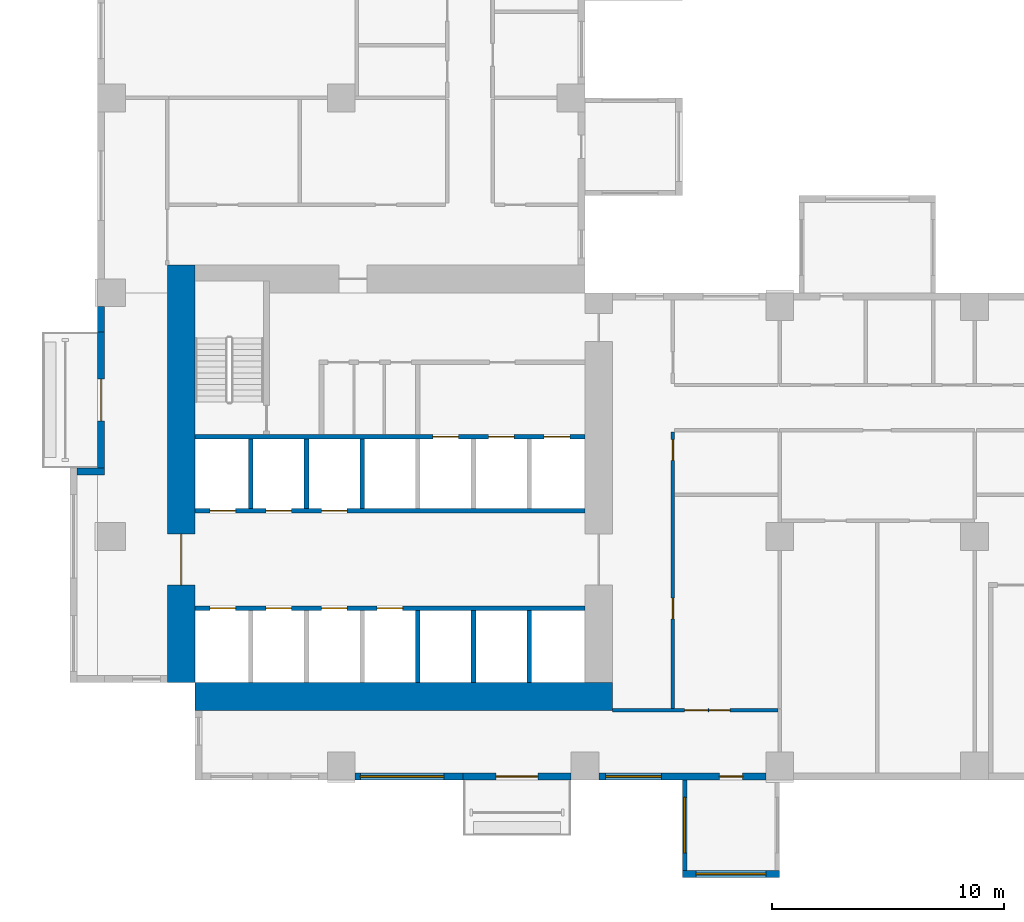
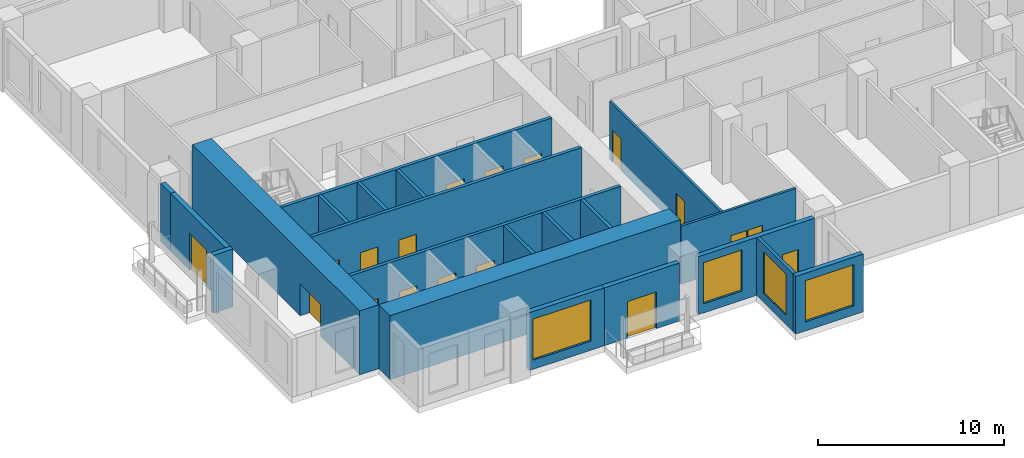
# One storey, part 2 of 15: 21 walls, 18 doors, 4 windows, 22 openings.
"""IFC4 building model written with IfcOpenShell, lengths in metres."""

from ifc_helpers import new_model, si_unit, direction, frame, frame_2d, origin, place, context, subcontext, project, spatial, rectangle, extrude, source, transform, mapped, material, layer, layer_set, type_object, element, fill, save


model = new_model("IFC4")

# Units and contexts
model_context = context("Model", 3, precision=1e-05, world=origin(), true_north=direction((0.0, 1.0)))
body_context = subcontext(model_context, "Body", "Model", "MODEL_VIEW")
ifc_project = project(units=[si_unit("LENGTHUNIT", "METRE"), si_unit("AREAUNIT", "SQUARE_METRE"), si_unit("VOLUMEUNIT", "CUBIC_METRE"), si_unit("PLANEANGLEUNIT", "RADIAN"), si_unit("MASSUNIT", "GRAM", prefix="KILO")], contexts=[model_context])

# Site, building, storey
site_placement = place(None, origin())
site = spatial("IfcSite", under=ifc_project, at=site_placement, CompositionType="ELEMENT")
building_placement = place(site_placement, origin())
building = spatial("IfcBuilding", under=site, at=building_placement, Name="Aurelian Terraces", CompositionType="ELEMENT")
storey_placement = place(building_placement, frame((0.0, 0.0, 65.7)))
storey = spatial("IfcBuildingStorey", under=building, at=storey_placement, Name="L13", CompositionType="ELEMENT", Elevation=65.7)

# Wall, opening, door
ifc_material_1 = material(Name="Concrete fc' 83 MPa", Category="concrete")
ifc_layer_1 = layer(ifc_material_1, 1.2)
ifc_layer_set_1 = layer_set([ifc_layer_1], Name="CORE WALL 1200 FC83")
wall_type_1 = type_object("IfcWallType", Name="CORE WALL 1200 FC83", PredefinedType="SHEAR", material=ifc_layer_set_1)
shared_shape_1 = source(origin(), body_context, "Body", "SweptSolid", [
    extrude(rectangle(XDim=18.0, YDim=1.2, at=frame_2d((9.0, 0.0))), origin(), (0.0, 0.0, 1.0), 4.2),
])
wall_1_placement = place(storey_placement, frame((3.6, 4.2, 0.0), z_axis=(0.0, 0.0, 1.0), x_axis=(0.0, 1.0, 0.0)))
wall_1 = element("IfcWall", 1, at=wall_1_placement, inside=storey, type_object=wall_type_1, Name="Core wall W L13", PredefinedType="SHEAR", context=body_context, shape_type="MappedRepresentation", body=[
    mapped(shared_shape_1, transform((0.0, 0.0, 0.0), scale=1.0)),
])
shared_shape_2 = source(origin(), body_context, "Body", "SweptSolid", [
    extrude(rectangle(XDim=2.2, YDim=2.1, at=frame_2d((1.1, 1.05))), frame((0.0, 0.61, 0.0), z_axis=(0.0, -1.0, 0.0), x_axis=(1.0, 0.0, 0.0)), (0.0, 0.0, 1.0), 1.22),
])
opening_1_placement = place(wall_1_placement, frame((4.2, 0.0, 0.0)))
opening_1 = element("IfcOpeningElement", 2, at=opening_1_placement, cuts=wall_1, Name="Opening 61622", PredefinedType="OPENING", context=body_context, shape_type="MappedRepresentation", body=[
    mapped(shared_shape_2, transform((0.0, 0.0, 0.0), scale=1.0)),
])
ifc_material_2 = material(Name="Steel door leaf", Category="steel")
door_type_1 = type_object("IfcDoorType", Name="Core double door 2200x2100", OperationType="DOUBLE_DOOR_SINGLE_SWING", PredefinedType="DOOR", material=ifc_material_2)
shared_shape_3 = source(origin(), body_context, "Body", "SweptSolid", [
    extrude(rectangle(XDim=2.2, YDim=2.1, at=frame_2d((1.1, 1.05))), frame((0.0, 0.025, 0.0), z_axis=(0.0, -1.0, 0.0), x_axis=(1.0, 0.0, 0.0)), (0.0, 0.0, 1.0), 0.05),
])
door_1_placement = place(opening_1_placement, origin())
door_1 = element("IfcDoor", 3, at=door_1_placement, inside=storey, type_object=door_type_1, Name="Core door 61622", OperationType="DOUBLE_DOOR_SINGLE_SWING", OverallHeight=2.1, OverallWidth=2.2, PredefinedType="DOOR", context=body_context, shape_type="MappedRepresentation", body=[
    mapped(shared_shape_3, transform((0.0, 0.0, 0.0), scale=1.0)),
])
fill(opening_1, door_1)

# Wall
wall_2_placement = place(storey_placement, frame((4.2, 3.6, 0.0), z_axis=(0.0, 0.0, 1.0), x_axis=(1.0, 0.0, 0.0)))
element("IfcWall", 4, at=wall_2_placement, inside=storey, type_object=wall_type_1, Name="Core wall S L13", PredefinedType="SHEAR", context=body_context, shape_type="MappedRepresentation", body=[
    mapped(shared_shape_1, transform((0.0, 0.0, 0.0), scale=1.0)),
])

# Wall, opening, window
ifc_material_3 = material(Name="Terracotta rainscreen cladding", Category="masonry")
ifc_layer_2 = layer(ifc_material_3, 0.3)
ifc_layer_set_2 = layer_set([ifc_layer_2], Name="EW-300")
wall_type_2 = type_object("IfcWallType", Name="EW-300", PredefinedType="STANDARD", material=ifc_layer_set_2)
shared_shape_4 = source(origin(), body_context, "Body", "SweptSolid", [
    extrude(rectangle(XDim=4.65, YDim=0.3, at=frame_2d((2.325, 0.0))), origin(), (0.0, 0.0, 1.0), 3.8),
])
wall_3_placement = place(storey_placement, frame((11.1, 0.15, 0.0), z_axis=(0.0, 0.0, 1.0), x_axis=(1.0, 0.0, 0.0)))
wall_3 = element("IfcWall", 5, at=wall_3_placement, inside=storey, type_object=wall_type_2, Name="External wall L13 F01.3", PredefinedType="STANDARD", context=body_context, shape_type="MappedRepresentation", body=[
    mapped(shared_shape_4, transform((0.0, 0.0, 0.0), scale=1.0)),
])
shared_shape_5 = source(origin(), body_context, "Body", "SweptSolid", [
    extrude(rectangle(XDim=3.6, YDim=2.7, at=frame_2d((1.8, 1.35))), frame((0.0, 0.16, 0.0), z_axis=(0.0, -1.0, 0.0), x_axis=(1.0, 0.0, 0.0)), (0.0, 0.0, 1.0), 0.32),
])
opening_2_placement = place(wall_3_placement, frame((0.225, 0.0, 0.6)))
opening_2 = element("IfcOpeningElement", 6, at=opening_2_placement, cuts=wall_3, Name="Opening W3627", PredefinedType="OPENING", context=body_context, shape_type="MappedRepresentation", body=[
    mapped(shared_shape_5, transform((0.0, 0.0, 0.0), scale=1.0)),
])
ifc_material_4 = material(Name="Clear glazing", Category="glass")
window_type_1 = type_object("IfcWindowType", Name="W-3600x2700", PartitioningType="SINGLE_PANEL", PredefinedType="WINDOW", material=ifc_material_4)
shared_shape_6 = source(origin(), body_context, "Body", "SweptSolid", [
    extrude(rectangle(XDim=3.6, YDim=2.7, at=frame_2d((1.8, 1.35))), frame((0.0, 0.03, 0.0), z_axis=(0.0, -1.0, 0.0), x_axis=(1.0, 0.0, 0.0)), (0.0, 0.0, 1.0), 0.06),
])
window_1_placement = place(opening_2_placement, origin())
window_1 = element("IfcWindow", 7, at=window_1_placement, inside=storey, type_object=window_type_1, Name="Window L13 L13-F01-03-0", OverallHeight=2.7, OverallWidth=3.6, PartitioningType="SINGLE_PANEL", PredefinedType="WINDOW", context=body_context, shape_type="MappedRepresentation", body=[
    mapped(shared_shape_6, transform((0.0, 0.0, 0.0), scale=1.0)),
])
fill(opening_2, window_1)

# Wall, opening, door
wall_4_placement = place(storey_placement, frame((15.75, 0.15, 0.0), z_axis=(0.0, 0.0, 1.0), x_axis=(1.0, 0.0, 0.0)))
wall_4 = element("IfcWall", 8, at=wall_4_placement, inside=storey, type_object=wall_type_2, Name="External wall L13 F01.4", PredefinedType="STANDARD", context=body_context, shape_type="MappedRepresentation", body=[
    mapped(shared_shape_4, transform((0.0, 0.0, 0.0), scale=1.0)),
])
shared_shape_7 = source(origin(), body_context, "Body", "SweptSolid", [
    extrude(rectangle(XDim=1.8, YDim=2.4, at=frame_2d((0.9, 1.2))), frame((0.0, 0.16, 0.0), z_axis=(0.0, -1.0, 0.0), x_axis=(1.0, 0.0, 0.0)), (0.0, 0.0, 1.0), 0.32),
])
opening_3_placement = place(wall_4_placement, frame((1.425, 0.0, 0.0)))
opening_3 = element("IfcOpeningElement", 9, at=opening_3_placement, cuts=wall_4, Name="Opening 81301", PredefinedType="OPENING", context=body_context, shape_type="MappedRepresentation", body=[
    mapped(shared_shape_7, transform((0.0, 0.0, 0.0), scale=1.0)),
])
door_type_2 = type_object("IfcDoorType", Name="BD-1800x2400", OperationType="SLIDING_TO_LEFT", PredefinedType="DOOR", material=ifc_material_4)
shared_shape_8 = source(origin(), body_context, "Body", "SweptSolid", [
    extrude(rectangle(XDim=1.8, YDim=2.4, at=frame_2d((0.9, 1.2))), frame((0.0, 0.025, 0.0), z_axis=(0.0, -1.0, 0.0), x_axis=(1.0, 0.0, 0.0)), (0.0, 0.0, 1.0), 0.05),
])
door_2_placement = place(opening_3_placement, origin())
door_2 = element("IfcDoor", 10, at=door_2_placement, inside=storey, type_object=door_type_2, Name="Balcony door L13 F01.4", OperationType="SLIDING_TO_LEFT", OverallHeight=2.4, OverallWidth=1.8, PredefinedType="DOOR", context=body_context, shape_type="MappedRepresentation", body=[
    mapped(shared_shape_8, transform((0.0, 0.0, 0.0), scale=1.0)),
])
fill(opening_3, door_2)

# Wall, openings, window, door
shared_shape_9 = source(origin(), body_context, "Body", "SweptSolid", [
    extrude(rectangle(XDim=7.2, YDim=0.3, at=frame_2d((3.6, 0.0))), origin(), (0.0, 0.0, 1.0), 3.8),
])
wall_5_placement = place(storey_placement, frame((21.6, 0.15, 0.0), z_axis=(0.0, 0.0, 1.0), x_axis=(1.0, 0.0, 0.0)))
wall_5 = element("IfcWall", 11, at=wall_5_placement, inside=storey, type_object=wall_type_2, Name="External wall L13 F01.5", PredefinedType="STANDARD", context=body_context, shape_type="MappedRepresentation", body=[
    mapped(shared_shape_9, transform((0.0, 0.0, 0.0), scale=1.0)),
])
shared_shape_10 = source(origin(), body_context, "Body", "SweptSolid", [
    extrude(rectangle(XDim=2.4, YDim=2.7, at=frame_2d((1.2, 1.35))), frame((0.0, 0.16, 0.0), z_axis=(0.0, -1.0, 0.0), x_axis=(1.0, 0.0, 0.0)), (0.0, 0.0, 1.0), 0.32),
])
opening_4_placement = place(wall_5_placement, frame((0.3, 0.0, 0.6)))
opening_4 = element("IfcOpeningElement", 12, at=opening_4_placement, cuts=wall_5, Name="Opening W2427", PredefinedType="OPENING", context=body_context, shape_type="MappedRepresentation", body=[
    mapped(shared_shape_10, transform((0.0, 0.0, 0.0), scale=1.0)),
])
shared_shape_11 = source(origin(), body_context, "Body", "SweptSolid", [
    extrude(rectangle(XDim=1.0, YDim=2.1, at=frame_2d((0.5, 1.05))), frame((0.0, 0.16, 0.0), z_axis=(0.0, -1.0, 0.0), x_axis=(1.0, 0.0, 0.0)), (0.0, 0.0, 1.0), 0.32),
])
opening_5_placement = place(wall_5_placement, frame((5.2, 0.0, 0.0)))
opening_5 = element("IfcOpeningElement", 13, at=opening_5_placement, cuts=wall_5, Name="Opening 813002", PredefinedType="OPENING", context=body_context, shape_type="MappedRepresentation", body=[
    mapped(shared_shape_11, transform((0.0, 0.0, 0.0), scale=1.0)),
])
window_type_2 = type_object("IfcWindowType", Name="W-2400x2700", PartitioningType="SINGLE_PANEL", PredefinedType="WINDOW", material=ifc_material_4)
shared_shape_12 = source(origin(), body_context, "Body", "SweptSolid", [
    extrude(rectangle(XDim=2.4, YDim=2.7, at=frame_2d((1.2, 1.35))), frame((0.0, 0.03, 0.0), z_axis=(0.0, -1.0, 0.0), x_axis=(1.0, 0.0, 0.0)), (0.0, 0.0, 1.0), 0.06),
])
window_2_placement = place(opening_4_placement, origin())
window_2 = element("IfcWindow", 14, at=window_2_placement, inside=storey, type_object=window_type_2, Name="Window L13 L13-F01-05-0", OverallHeight=2.7, OverallWidth=2.4, PartitioningType="SINGLE_PANEL", PredefinedType="WINDOW", context=body_context, shape_type="MappedRepresentation", body=[
    mapped(shared_shape_12, transform((0.0, 0.0, 0.0), scale=1.0)),
])
fill(opening_4, window_2)
ifc_material_5 = material(Name="Timber door leaf", Category="wood")
door_type_3 = type_object("IfcDoorType", Name="Room door 1000x2100 left", OperationType="SINGLE_SWING_LEFT", PredefinedType="DOOR", material=ifc_material_5)
shared_shape_13 = source(origin(), body_context, "Body", "SweptSolid", [
    extrude(rectangle(XDim=1.0, YDim=2.1, at=frame_2d((0.5, 1.05))), frame((0.0, 0.025, 0.0), z_axis=(0.0, -1.0, 0.0), x_axis=(1.0, 0.0, 0.0)), (0.0, 0.0, 1.0), 0.05),
])
door_3_placement = place(opening_5_placement, origin())
door_3 = element("IfcDoor", 15, at=door_3_placement, inside=storey, type_object=door_type_3, Name="Door 813002", OperationType="SINGLE_SWING_LEFT", OverallHeight=2.1, OverallWidth=1.0, PredefinedType="DOOR", context=body_context, shape_type="MappedRepresentation", body=[
    mapped(shared_shape_13, transform((0.0, 0.0, 0.0), scale=1.0)),
])
fill(opening_5, door_3)

# Wall
shared_shape_14 = source(origin(), body_context, "Body", "SweptSolid", [
    extrude(rectangle(XDim=1.2, YDim=0.3, at=frame_2d((0.6, 0.0))), origin(), (0.0, 0.0, 1.0), 3.8),
])
wall_6_placement = place(storey_placement, frame((0.3, 13.29, 0.0), z_axis=(0.0, 0.0, 1.0), x_axis=(-1.0, 0.0, 0.0)))
element("IfcWall", 16, at=wall_6_placement, inside=storey, type_object=wall_type_2, Name="Bay return L13 F14.40.1", PredefinedType="STANDARD", context=body_context, shape_type="MappedRepresentation", body=[
    mapped(shared_shape_14, transform((0.0, 0.0, 0.0), scale=1.0)),
])

# Wall, opening, door
shared_shape_15 = source(origin(), body_context, "Body", "SweptSolid", [
    extrude(rectangle(XDim=5.88, YDim=0.3, at=frame_2d((2.94, 0.0))), origin(), (0.0, 0.0, 1.0), 3.8),
])
wall_7_placement = place(storey_placement, frame((0.15, 19.32, 0.0), z_axis=(0.0, 0.0, 1.0), x_axis=(0.0, -1.0, 0.0)))
wall_7 = element("IfcWall", 17, at=wall_7_placement, inside=storey, type_object=wall_type_2, Name="External wall L13 F14.39", PredefinedType="STANDARD", context=body_context, shape_type="MappedRepresentation", body=[
    mapped(shared_shape_15, transform((0.0, 0.0, 0.0), scale=1.0)),
])
opening_6_placement = place(wall_7_placement, frame((2.04, 0.0, 0.0)))
opening_6 = element("IfcOpeningElement", 18, at=opening_6_placement, cuts=wall_7, Name="Opening 81303", PredefinedType="OPENING", context=body_context, shape_type="MappedRepresentation", body=[
    mapped(shared_shape_7, transform((0.0, 0.0, 0.0), scale=1.0)),
])
door_4_placement = place(opening_6_placement, origin())
door_4 = element("IfcDoor", 19, at=door_4_placement, inside=storey, type_object=door_type_2, Name="Balcony door L13 F14.39", OperationType="SLIDING_TO_LEFT", OverallHeight=2.4, OverallWidth=1.8, PredefinedType="DOOR", context=body_context, shape_type="MappedRepresentation", body=[
    mapped(shared_shape_8, transform((0.0, 0.0, 0.0), scale=1.0)),
])
fill(opening_6, door_4)

# Wall
shared_shape_16 = source(origin(), body_context, "Body", "SweptSolid", [
    extrude(rectangle(XDim=1.08, YDim=0.3, at=frame_2d((0.54, 0.0))), origin(), (0.0, 0.0, 1.0), 3.8),
])
wall_8_placement = place(storey_placement, frame((0.15, 20.4, 0.0), z_axis=(0.0, 0.0, 1.0), x_axis=(0.0, -1.0, 0.0)))
element("IfcWall", 20, at=wall_8_placement, inside=storey, type_object=wall_type_2, Name="External wall L13 F14.38", PredefinedType="STANDARD", context=body_context, shape_type="MappedRepresentation", body=[
    mapped(shared_shape_16, transform((0.0, 0.0, 0.0), scale=1.0)),
])

# Wall, opening, window
ifc_material_6 = material(Name="Concrete fc' 40 MPa", Category="concrete")
ifc_layer_3 = layer(ifc_material_6, 0.2)
ifc_layer_set_3 = layer_set([ifc_layer_3], Name="BOX BEARING WALL 200")
wall_type_3 = type_object("IfcWallType", Name="BOX BEARING WALL 200", PredefinedType="SOLIDWALL", material=ifc_layer_set_3)
shared_shape_17 = source(origin(), body_context, "Body", "SweptSolid", [
    extrude(rectangle(XDim=3.9, YDim=0.2, at=frame_2d((1.95, 0.0))), origin(), (0.0, 0.0, 1.0), 3.79),
])
wall_9_placement = place(storey_placement, frame((25.3, 0.0, 0.0), z_axis=(0.0, 0.0, 1.0), x_axis=(0.0, -1.0, 0.0)))
wall_9 = element("IfcWall", 21, at=wall_9_placement, inside=storey, type_object=wall_type_3, Name="Box return L13 J12.1", PredefinedType="SOLIDWALL", context=body_context, shape_type="MappedRepresentation", body=[
    mapped(shared_shape_17, transform((0.0, 0.0, 0.0), scale=1.0)),
])
shared_shape_18 = source(origin(), body_context, "Body", "SweptSolid", [
    extrude(rectangle(XDim=2.4, YDim=2.7, at=frame_2d((1.2, 1.35))), frame((0.0, 0.11, 0.0), z_axis=(0.0, -1.0, 0.0), x_axis=(1.0, 0.0, 0.0)), (0.0, 0.0, 1.0), 0.22),
])
opening_7_placement = place(wall_9_placement, frame((0.75, 0.0, 0.6)))
opening_7 = element("IfcOpeningElement", 22, at=opening_7_placement, cuts=wall_9, Name="Opening W2427", PredefinedType="OPENING", context=body_context, shape_type="MappedRepresentation", body=[
    mapped(shared_shape_18, transform((0.0, 0.0, 0.0), scale=1.0)),
])
window_3_placement = place(opening_7_placement, origin())
window_3 = element("IfcWindow", 23, at=window_3_placement, inside=storey, type_object=window_type_2, Name="Window L13 J12-S1", OverallHeight=2.7, OverallWidth=2.4, PartitioningType="SINGLE_PANEL", PredefinedType="WINDOW", context=body_context, shape_type="MappedRepresentation", body=[
    mapped(shared_shape_12, transform((0.0, 0.0, 0.0), scale=1.0)),
])
fill(opening_7, window_3)

ifc_layer_4 = layer(ifc_material_6, 0.3)
ifc_layer_set_4 = layer_set([ifc_layer_4], Name="BOX BEARING WALL 300")
wall_type_4 = type_object("IfcWallType", Name="BOX BEARING WALL 300", PredefinedType="SOLIDWALL", material=ifc_layer_set_4)
shared_shape_19 = source(origin(), body_context, "Body", "SweptSolid", [
    extrude(rectangle(XDim=4.2, YDim=0.3, at=frame_2d((2.1, 0.0))), origin(), (0.0, 0.0, 1.0), 3.79),
])
wall_10_placement = place(storey_placement, frame((25.2, -4.05, 0.0), z_axis=(0.0, 0.0, 1.0), x_axis=(1.0, 0.0, 0.0)))
wall_10 = element("IfcWall", 24, at=wall_10_placement, inside=storey, type_object=wall_type_4, Name="Box wall L13 J12", PredefinedType="SOLIDWALL", context=body_context, shape_type="MappedRepresentation", body=[
    mapped(shared_shape_19, transform((0.0, 0.0, 0.0), scale=1.0)),
])
shared_shape_20 = source(origin(), body_context, "Body", "SweptSolid", [
    extrude(rectangle(XDim=3.0, YDim=2.7, at=frame_2d((1.5, 1.35))), frame((0.0, 0.16, 0.0), z_axis=(0.0, -1.0, 0.0), x_axis=(1.0, 0.0, 0.0)), (0.0, 0.0, 1.0), 0.32),
])
opening_8_placement = place(wall_10_placement, frame((0.6, 0.0, 0.6)))
opening_8 = element("IfcOpeningElement", 25, at=opening_8_placement, cuts=wall_10, Name="Opening W3027", PredefinedType="OPENING", context=body_context, shape_type="MappedRepresentation", body=[
    mapped(shared_shape_20, transform((0.0, 0.0, 0.0), scale=1.0)),
])
window_type_3 = type_object("IfcWindowType", Name="W-3000x2700", PartitioningType="SINGLE_PANEL", PredefinedType="WINDOW", material=ifc_material_4)
shared_shape_21 = source(origin(), body_context, "Body", "SweptSolid", [
    extrude(rectangle(XDim=3.0, YDim=2.7, at=frame_2d((1.5, 1.35))), frame((0.0, 0.03, 0.0), z_axis=(0.0, -1.0, 0.0), x_axis=(1.0, 0.0, 0.0)), (0.0, 0.0, 1.0), 0.06),
])
window_4_placement = place(opening_8_placement, origin())
window_4 = element("IfcWindow", 26, at=window_4_placement, inside=storey, type_object=window_type_3, Name="Window L13 J12-F1", OverallHeight=2.7, OverallWidth=3.0, PartitioningType="SINGLE_PANEL", PredefinedType="WINDOW", context=body_context, shape_type="MappedRepresentation", body=[
    mapped(shared_shape_21, transform((0.0, 0.0, 0.0), scale=1.0)),
])
fill(opening_8, window_4)

# Walls
ifc_layer_5 = layer(ifc_material_6, 0.2)
ifc_layer_set_5 = layer_set([ifc_layer_5], Name="Lift shaft wall 200")
wall_type_5 = type_object("IfcWallType", Name="Lift shaft wall 200", PredefinedType="SOLIDWALL", material=ifc_layer_set_5)
shared_shape_22 = source(origin(), body_context, "Body", "SweptSolid", [
    extrude(rectangle(XDim=3.1, YDim=0.2, at=frame_2d((1.55, 0.0))), origin(), (0.0, 0.0, 1.0), 4.2),
])
for number, where, z_axis, x_axis, name in (
    (27, (13.8, 4.2, 0.0), (0.0, 0.0, 1.0), (0.0, 1.0, 0.0), "L13 core wall CD-A4"),
    (28, (16.2, 4.2, 0.0), (0.0, 0.0, 1.0), (0.0, 1.0, 0.0), "L13 core wall CD-A5"),
    (29, (18.6, 4.2, 0.0), (0.0, 0.0, 1.0), (0.0, 1.0, 0.0), "L13 core wall CD-A6"),
):
    element("IfcWall", number, at=place(storey_placement, frame(where, z_axis=z_axis, x_axis=x_axis)), inside=storey, type_object=wall_type_5, Name=name, PredefinedType="SOLIDWALL", context=body_context, shape_type="MappedRepresentation", body=[
        mapped(shared_shape_22, transform((0.0, 0.0, 0.0), scale=1.0)),
    ])
shared_shape_23 = source(origin(), body_context, "Body", "SweptSolid", [
    extrude(rectangle(XDim=3.0, YDim=0.2, at=frame_2d((1.5, 0.0))), origin(), (0.0, 0.0, 1.0), 4.2),
])
for number, where, z_axis, x_axis, name in (
    (30, (6.6, 11.7, 0.0), (0.0, 0.0, 1.0), (0.0, 1.0, 0.0), "L13 core wall CD-B1"),
    (31, (9.0, 11.7, 0.0), (0.0, 0.0, 1.0), (0.0, 1.0, 0.0), "L13 core wall CD-B2"),
    (32, (11.4, 11.7, 0.0), (0.0, 0.0, 1.0), (0.0, 1.0, 0.0), "L13 core wall CD-B3"),
):
    element("IfcWall", number, at=place(storey_placement, frame(where, z_axis=z_axis, x_axis=x_axis)), inside=storey, type_object=wall_type_5, Name=name, PredefinedType="SOLIDWALL", context=body_context, shape_type="MappedRepresentation", body=[
        mapped(shared_shape_23, transform((0.0, 0.0, 0.0), scale=1.0)),
    ])

# Wall, openings, doors
shared_shape_24 = source(origin(), body_context, "Body", "SweptSolid", [
    extrude(rectangle(XDim=16.8, YDim=0.2, at=frame_2d((8.4, 0.0))), origin(), (0.0, 0.0, 1.0), 4.2),
])
wall_11_placement = place(storey_placement, frame((4.2, 7.4, 0.0), z_axis=(0.0, 0.0, 1.0), x_axis=(1.0, 0.0, 0.0)))
wall_11 = element("IfcWall", 33, at=wall_11_placement, inside=storey, type_object=wall_type_5, Name="L13 core wall CF-AF1", PredefinedType="SOLIDWALL", context=body_context, shape_type="MappedRepresentation", body=[
    mapped(shared_shape_24, transform((0.0, 0.0, 0.0), scale=1.0)),
])
shared_shape_25 = source(origin(), body_context, "Body", "SweptSolid", [
    extrude(rectangle(XDim=1.1, YDim=2.1, at=frame_2d((0.55, 1.05))), frame((0.0, 0.11, 0.0), z_axis=(0.0, -1.0, 0.0), x_axis=(1.0, 0.0, 0.0)), (0.0, 0.0, 1.0), 0.22),
])
opening_9_placement = place(wall_11_placement, frame((0.65, 0.0, 0.0)))
opening_9 = element("IfcOpeningElement", 34, at=opening_9_placement, cuts=wall_11, Name="Opening 61600", PredefinedType="OPENING", context=body_context, shape_type="MappedRepresentation", body=[
    mapped(shared_shape_25, transform((0.0, 0.0, 0.0), scale=1.0)),
])
opening_10_placement = place(wall_11_placement, frame((3.05, 0.0, 0.0)))
opening_10 = element("IfcOpeningElement", 35, at=opening_10_placement, cuts=wall_11, Name="Opening 61601", PredefinedType="OPENING", context=body_context, shape_type="MappedRepresentation", body=[
    mapped(shared_shape_25, transform((0.0, 0.0, 0.0), scale=1.0)),
])
opening_11_placement = place(wall_11_placement, frame((5.45, 0.0, 0.0)))
opening_11 = element("IfcOpeningElement", 36, at=opening_11_placement, cuts=wall_11, Name="Opening 61602", PredefinedType="OPENING", context=body_context, shape_type="MappedRepresentation", body=[
    mapped(shared_shape_25, transform((0.0, 0.0, 0.0), scale=1.0)),
])
opening_12_placement = place(wall_11_placement, frame((7.85, 0.0, 0.0)))
opening_12 = element("IfcOpeningElement", 37, at=opening_12_placement, cuts=wall_11, Name="Opening 61603", PredefinedType="OPENING", context=body_context, shape_type="MappedRepresentation", body=[
    mapped(shared_shape_25, transform((0.0, 0.0, 0.0), scale=1.0)),
])
ifc_material_7 = material(Name="Stainless steel", Category="steel")
door_type_4 = type_object("IfcDoorType", Name="Lift landing door 1100x2100", OperationType="SLIDING_TO_LEFT", PredefinedType="DOOR", material=ifc_material_7)
shared_shape_26 = source(origin(), body_context, "Body", "SweptSolid", [
    extrude(rectangle(XDim=1.1, YDim=2.1, at=frame_2d((0.55, 1.05))), frame((0.0, 0.025, 0.0), z_axis=(0.0, -1.0, 0.0), x_axis=(1.0, 0.0, 0.0)), (0.0, 0.0, 1.0), 0.05),
])
door_5_placement = place(opening_9_placement, origin())
door_5 = element("IfcDoor", 38, at=door_5_placement, inside=storey, type_object=door_type_4, Name="Lift landing door LL1 L13", OperationType="SLIDING_TO_LEFT", OverallHeight=2.1, OverallWidth=1.1, PredefinedType="DOOR", context=body_context, shape_type="MappedRepresentation", body=[
    mapped(shared_shape_26, transform((0.0, 0.0, 0.0), scale=1.0)),
])
fill(opening_9, door_5)
door_6_placement = place(opening_10_placement, origin())
door_6 = element("IfcDoor", 39, at=door_6_placement, inside=storey, type_object=door_type_4, Name="Lift landing door LL2 L13", OperationType="SLIDING_TO_LEFT", OverallHeight=2.1, OverallWidth=1.1, PredefinedType="DOOR", context=body_context, shape_type="MappedRepresentation", body=[
    mapped(shared_shape_26, transform((0.0, 0.0, 0.0), scale=1.0)),
])
fill(opening_10, door_6)
door_7_placement = place(opening_11_placement, origin())
door_7 = element("IfcDoor", 40, at=door_7_placement, inside=storey, type_object=door_type_4, Name="Lift landing door LL3 L13", OperationType="SLIDING_TO_LEFT", OverallHeight=2.1, OverallWidth=1.1, PredefinedType="DOOR", context=body_context, shape_type="MappedRepresentation", body=[
    mapped(shared_shape_26, transform((0.0, 0.0, 0.0), scale=1.0)),
])
fill(opening_11, door_7)
door_8_placement = place(opening_12_placement, origin())
door_8 = element("IfcDoor", 41, at=door_8_placement, inside=storey, type_object=door_type_4, Name="Lift landing door LL4 L13", OperationType="SLIDING_TO_LEFT", OverallHeight=2.1, OverallWidth=1.1, PredefinedType="DOOR", context=body_context, shape_type="MappedRepresentation", body=[
    mapped(shared_shape_26, transform((0.0, 0.0, 0.0), scale=1.0)),
])
fill(opening_12, door_8)

wall_12_placement = place(storey_placement, frame((4.2, 11.6, 0.0), z_axis=(0.0, 0.0, 1.0), x_axis=(1.0, 0.0, 0.0)))
wall_12 = element("IfcWall", 42, at=wall_12_placement, inside=storey, type_object=wall_type_5, Name="L13 core wall CF-BF1", PredefinedType="SOLIDWALL", context=body_context, shape_type="MappedRepresentation", body=[
    mapped(shared_shape_24, transform((0.0, 0.0, 0.0), scale=1.0)),
])
opening_13_placement = place(wall_12_placement, frame((0.65, 0.0, 0.0)))
opening_13 = element("IfcOpeningElement", 43, at=opening_13_placement, cuts=wall_12, Name="Opening 61604", PredefinedType="OPENING", context=body_context, shape_type="MappedRepresentation", body=[
    mapped(shared_shape_25, transform((0.0, 0.0, 0.0), scale=1.0)),
])
opening_14_placement = place(wall_12_placement, frame((3.05, 0.0, 0.0)))
opening_14 = element("IfcOpeningElement", 44, at=opening_14_placement, cuts=wall_12, Name="Opening 61605", PredefinedType="OPENING", context=body_context, shape_type="MappedRepresentation", body=[
    mapped(shared_shape_25, transform((0.0, 0.0, 0.0), scale=1.0)),
])
opening_15_placement = place(wall_12_placement, frame((5.45, 0.0, 0.0)))
opening_15 = element("IfcOpeningElement", 45, at=opening_15_placement, cuts=wall_12, Name="Opening 61606", PredefinedType="OPENING", context=body_context, shape_type="MappedRepresentation", body=[
    mapped(shared_shape_25, transform((0.0, 0.0, 0.0), scale=1.0)),
])
door_9_placement = place(opening_13_placement, origin())
door_9 = element("IfcDoor", 46, at=door_9_placement, inside=storey, type_object=door_type_4, Name="Lift landing door LL5 L13", OperationType="SLIDING_TO_LEFT", OverallHeight=2.1, OverallWidth=1.1, PredefinedType="DOOR", context=body_context, shape_type="MappedRepresentation", body=[
    mapped(shared_shape_26, transform((0.0, 0.0, 0.0), scale=1.0)),
])
fill(opening_13, door_9)
door_10_placement = place(opening_14_placement, origin())
door_10 = element("IfcDoor", 47, at=door_10_placement, inside=storey, type_object=door_type_4, Name="Lift landing door LL6 L13", OperationType="SLIDING_TO_LEFT", OverallHeight=2.1, OverallWidth=1.1, PredefinedType="DOOR", context=body_context, shape_type="MappedRepresentation", body=[
    mapped(shared_shape_26, transform((0.0, 0.0, 0.0), scale=1.0)),
])
fill(opening_14, door_10)
door_11_placement = place(opening_15_placement, origin())
door_11 = element("IfcDoor", 48, at=door_11_placement, inside=storey, type_object=door_type_4, Name="Lift landing door LL7 L13", OperationType="SLIDING_TO_LEFT", OverallHeight=2.1, OverallWidth=1.1, PredefinedType="DOOR", context=body_context, shape_type="MappedRepresentation", body=[
    mapped(shared_shape_26, transform((0.0, 0.0, 0.0), scale=1.0)),
])
fill(opening_15, door_11)

wall_13_placement = place(storey_placement, frame((4.2, 14.8, 0.0), z_axis=(0.0, 0.0, 1.0), x_axis=(1.0, 0.0, 0.0)))
wall_13 = element("IfcWall", 49, at=wall_13_placement, inside=storey, type_object=wall_type_5, Name="L13 core wall CF-BB1", PredefinedType="SOLIDWALL", context=body_context, shape_type="MappedRepresentation", body=[
    mapped(shared_shape_24, transform((0.0, 0.0, 0.0), scale=1.0)),
])
opening_16_placement = place(wall_13_placement, frame((10.25, 0.0, 0.0)))
opening_16 = element("IfcOpeningElement", 50, at=opening_16_placement, cuts=wall_13, Name="Opening 61607", PredefinedType="OPENING", context=body_context, shape_type="MappedRepresentation", body=[
    mapped(shared_shape_25, transform((0.0, 0.0, 0.0), scale=1.0)),
])
opening_17_placement = place(wall_13_placement, frame((12.65, 0.0, 0.0)))
opening_17 = element("IfcOpeningElement", 51, at=opening_17_placement, cuts=wall_13, Name="Opening 61608", PredefinedType="OPENING", context=body_context, shape_type="MappedRepresentation", body=[
    mapped(shared_shape_25, transform((0.0, 0.0, 0.0), scale=1.0)),
])
opening_18_placement = place(wall_13_placement, frame((15.05, 0.0, 0.0)))
opening_18 = element("IfcOpeningElement", 52, at=opening_18_placement, cuts=wall_13, Name="Opening 61609", PredefinedType="OPENING", context=body_context, shape_type="MappedRepresentation", body=[
    mapped(shared_shape_25, transform((0.0, 0.0, 0.0), scale=1.0)),
])
door_12_placement = place(opening_16_placement, origin())
door_12 = element("IfcDoor", 53, at=door_12_placement, inside=storey, type_object=door_type_4, Name="Lift landing door F1 L13", OperationType="SLIDING_TO_LEFT", OverallHeight=2.1, OverallWidth=1.1, PredefinedType="DOOR", context=body_context, shape_type="MappedRepresentation", body=[
    mapped(shared_shape_26, transform((0.0, 0.0, 0.0), scale=1.0)),
])
fill(opening_16, door_12)
door_13_placement = place(opening_17_placement, origin())
door_13 = element("IfcDoor", 54, at=door_13_placement, inside=storey, type_object=door_type_4, Name="Lift landing door F2 L13", OperationType="SLIDING_TO_LEFT", OverallHeight=2.1, OverallWidth=1.1, PredefinedType="DOOR", context=body_context, shape_type="MappedRepresentation", body=[
    mapped(shared_shape_26, transform((0.0, 0.0, 0.0), scale=1.0)),
])
fill(opening_17, door_13)
door_14_placement = place(opening_18_placement, origin())
door_14 = element("IfcDoor", 55, at=door_14_placement, inside=storey, type_object=door_type_4, Name="Lift landing door F3 L13", OperationType="SLIDING_TO_LEFT", OverallHeight=2.1, OverallWidth=1.1, PredefinedType="DOOR", context=body_context, shape_type="MappedRepresentation", body=[
    mapped(shared_shape_26, transform((0.0, 0.0, 0.0), scale=1.0)),
])
fill(opening_18, door_14)

ifc_material_8 = material(Name="Gypsum board on steel studs", Category="steel")
ifc_layer_6 = layer(ifc_material_8, 0.15)
ifc_layer_set_6 = layer_set([ifc_layer_6], Name="Partition 150")
wall_type_6 = type_object("IfcWallType", Name="Partition 150", PredefinedType="PARTITIONING", material=ifc_layer_set_6)
shared_shape_27 = source(origin(), body_context, "Body", "SweptSolid", [
    extrude(rectangle(XDim=11.925, YDim=0.15, at=frame_2d((5.9625, 0.0))), origin(), (0.0, 0.0, 1.0), 3.8),
])
wall_14_placement = place(storey_placement, frame((24.8, 15.0, 0.0), z_axis=(0.0, 0.0, 1.0), x_axis=(0.0, -1.0, 0.0)))
wall_14 = element("IfcWall", 56, at=wall_14_placement, inside=storey, type_object=wall_type_6, Name="Partition", PredefinedType="PARTITIONING", context=body_context, shape_type="MappedRepresentation", body=[
    mapped(shared_shape_27, transform((0.0, 0.0, 0.0), scale=1.0)),
])
shared_shape_28 = source(origin(), body_context, "Body", "SweptSolid", [
    extrude(rectangle(XDim=0.9, YDim=2.1, at=frame_2d((0.45, 1.05))), frame((0.0, 0.085, 0.0), z_axis=(0.0, -1.0, 0.0), x_axis=(1.0, 0.0, 0.0)), (0.0, 0.0, 1.0), 0.17),
])
opening_19_placement = place(wall_14_placement, frame((7.1625, 0.0, 0.0)))
opening_19 = element("IfcOpeningElement", 57, at=opening_19_placement, cuts=wall_14, Name="Opening 713001", PredefinedType="OPENING", context=body_context, shape_type="MappedRepresentation", body=[
    mapped(shared_shape_28, transform((0.0, 0.0, 0.0), scale=1.0)),
])
opening_20_placement = place(wall_14_placement, frame((0.325, 0.0, 0.0)))
opening_20 = element("IfcOpeningElement", 58, at=opening_20_placement, cuts=wall_14, Name="Opening 713002", PredefinedType="OPENING", context=body_context, shape_type="MappedRepresentation", body=[
    mapped(shared_shape_28, transform((0.0, 0.0, 0.0), scale=1.0)),
])
door_type_5 = type_object("IfcDoorType", Name="Room door 900x2100 right", OperationType="SINGLE_SWING_RIGHT", PredefinedType="DOOR", material=ifc_material_5)
shared_shape_29 = source(origin(), body_context, "Body", "SweptSolid", [
    extrude(rectangle(XDim=0.9, YDim=2.1, at=frame_2d((0.45, 1.05))), frame((0.0, 0.025, 0.0), z_axis=(0.0, -1.0, 0.0), x_axis=(1.0, 0.0, 0.0)), (0.0, 0.0, 1.0), 0.05),
])
door_15_placement = place(opening_19_placement, origin())
door_15 = element("IfcDoor", 59, at=door_15_placement, inside=storey, type_object=door_type_5, Name="Door 713001", OperationType="SINGLE_SWING_RIGHT", OverallHeight=2.1, OverallWidth=0.9, PredefinedType="DOOR", context=body_context, shape_type="MappedRepresentation", body=[
    mapped(shared_shape_29, transform((0.0, 0.0, 0.0), scale=1.0)),
])
fill(opening_19, door_15)
door_type_6 = type_object("IfcDoorType", Name="Room door 900x2100 left", OperationType="SINGLE_SWING_LEFT", PredefinedType="DOOR", material=ifc_material_5)
door_16_placement = place(opening_20_placement, origin())
door_16 = element("IfcDoor", 60, at=door_16_placement, inside=storey, type_object=door_type_6, Name="Door 713002", OperationType="SINGLE_SWING_LEFT", OverallHeight=2.1, OverallWidth=0.9, PredefinedType="DOOR", context=body_context, shape_type="MappedRepresentation", body=[
    mapped(shared_shape_29, transform((0.0, 0.0, 0.0), scale=1.0)),
])
fill(opening_20, door_16)

shared_shape_30 = source(origin(), body_context, "Body", "SweptSolid", [
    extrude(rectangle(XDim=7.125, YDim=0.15, at=frame_2d((3.5625, 0.0))), origin(), (0.0, 0.0, 1.0), 3.8),
])
wall_15_placement = place(storey_placement, frame((22.2, 3.0, 0.0), z_axis=(0.0, 0.0, 1.0), x_axis=(1.0, 0.0, 0.0)))
wall_15 = element("IfcWall", 61, at=wall_15_placement, inside=storey, type_object=wall_type_6, Name="Partition", PredefinedType="PARTITIONING", context=body_context, shape_type="MappedRepresentation", body=[
    mapped(shared_shape_30, transform((0.0, 0.0, 0.0), scale=1.0)),
])
shared_shape_31 = source(origin(), body_context, "Body", "SweptSolid", [
    extrude(rectangle(XDim=1.0, YDim=2.1, at=frame_2d((0.5, 1.05))), frame((0.0, 0.085, 0.0), z_axis=(0.0, -1.0, 0.0), x_axis=(1.0, 0.0, 0.0)), (0.0, 0.0, 1.0), 0.17),
])
opening_21_placement = place(wall_15_placement, frame((3.1, 0.0, 0.0)))
opening_21 = element("IfcOpeningElement", 62, at=opening_21_placement, cuts=wall_15, Name="Opening 713004", PredefinedType="OPENING", context=body_context, shape_type="MappedRepresentation", body=[
    mapped(shared_shape_31, transform((0.0, 0.0, 0.0), scale=1.0)),
])
opening_22_placement = place(wall_15_placement, frame((4.162, 0.0, 0.0)))
opening_22 = element("IfcOpeningElement", 63, at=opening_22_placement, cuts=wall_15, Name="Opening 713053", PredefinedType="OPENING", context=body_context, shape_type="MappedRepresentation", body=[
    mapped(shared_shape_28, transform((0.0, 0.0, 0.0), scale=1.0)),
])
door_17_placement = place(opening_21_placement, origin())
door_17 = element("IfcDoor", 64, at=door_17_placement, inside=storey, type_object=door_type_3, Name="Door 713004", OperationType="SINGLE_SWING_LEFT", OverallHeight=2.1, OverallWidth=1.0, PredefinedType="DOOR", context=body_context, shape_type="MappedRepresentation", body=[
    mapped(shared_shape_13, transform((0.0, 0.0, 0.0), scale=1.0)),
])
fill(opening_21, door_17)
door_18_placement = place(opening_22_placement, origin())
door_18 = element("IfcDoor", 65, at=door_18_placement, inside=storey, type_object=door_type_6, Name="Door 713053", OperationType="SINGLE_SWING_LEFT", OverallHeight=2.1, OverallWidth=0.9, PredefinedType="DOOR", context=body_context, shape_type="MappedRepresentation", body=[
    mapped(shared_shape_29, transform((0.0, 0.0, 0.0), scale=1.0)),
])
fill(opening_22, door_18)

save(model, "model.ifc")
